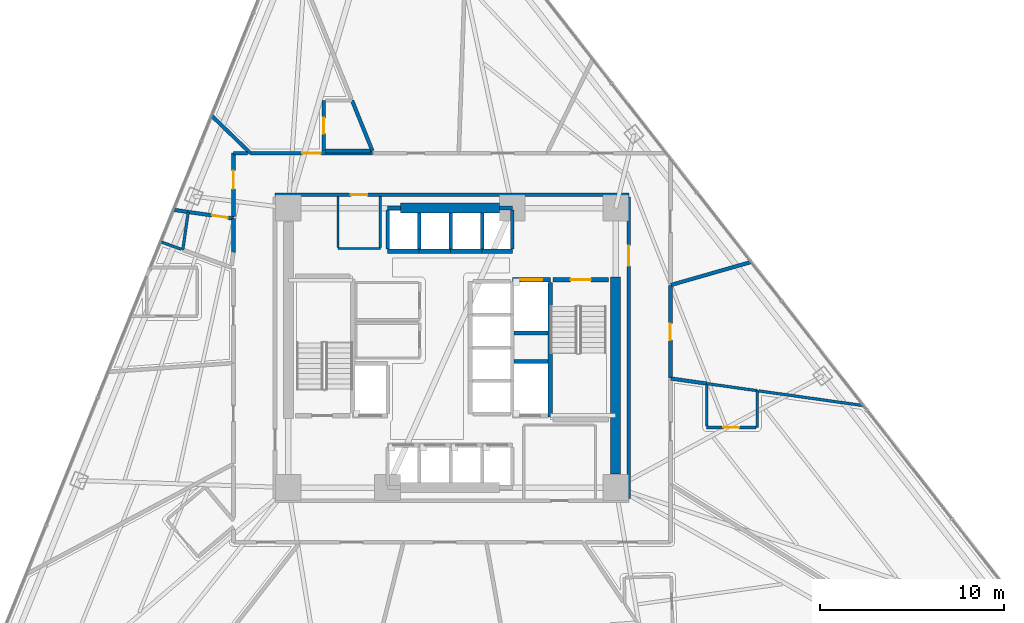
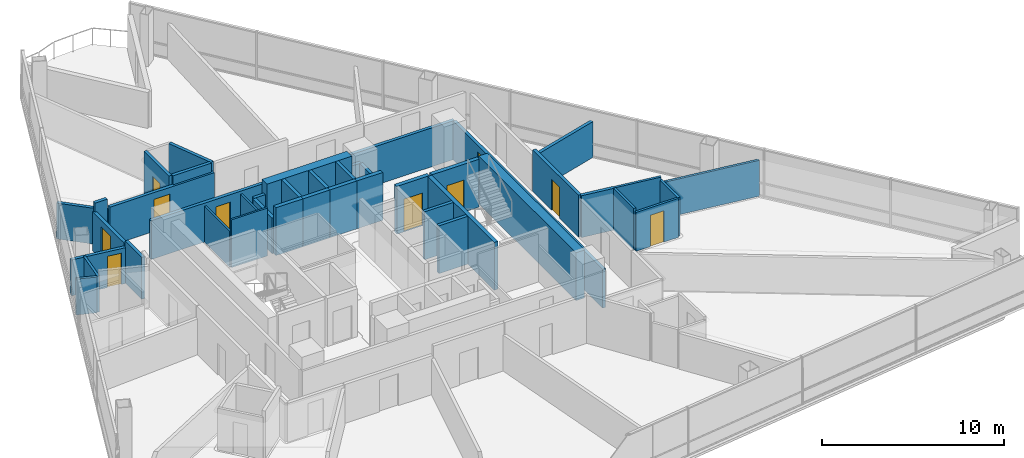
# One storey, part 9 of 15: 42 walls, 10 doors, 10 openings.
"""IFC4 building model written with IfcOpenShell, lengths in metres."""

from ifc_helpers import new_model, si_unit, direction, frame, frame_2d, origin, place, context, subcontext, project, spatial, rectangle, extrude, material, layer, layer_set, type_object, element, fill, save


model = new_model("IFC4")

# Units and contexts
model_context = context("Model", 3, precision=1e-05, world=origin(), true_north=direction((0.0, 1.0)))
body_context = subcontext(model_context, "Body", "Model", "MODEL_VIEW")
ifc_project = project(units=[si_unit("LENGTHUNIT", "METRE"), si_unit("AREAUNIT", "SQUARE_METRE"), si_unit("VOLUMEUNIT", "CUBIC_METRE"), si_unit("PLANEANGLEUNIT", "RADIAN"), si_unit("MASSUNIT", "GRAM", prefix="KILO")], contexts=[model_context])

# Site, building, storey
site_placement = place(None, origin())
site = spatial("IfcSite", under=ifc_project, at=site_placement, CompositionType="ELEMENT")
building_placement = place(site_placement, origin())
building = spatial("IfcBuilding", under=site, at=building_placement, Name="Tharavind Bronze Gate", CompositionType="ELEMENT")
storey_placement = place(building_placement, frame((0.0, 0.0, 77.64990234375)))
storey = spatial("IfcBuildingStorey", under=building, at=storey_placement, Name="L19", CompositionType="ELEMENT", Elevation=77.64990234375)

# Wall, opening, door
ifc_material_1 = material(Name="Aerated Concrete Block", Category="concrete")
ifc_layer_1 = layer(ifc_material_1, 0.199951171875)
ifc_layer_set_1 = layer_set([ifc_layer_1], Name="Aerated Concrete Block")
wall_type_1 = type_object("IfcWallType", Name="FIRE RATED PARTITION 200", PredefinedType="PARTITIONING", material=ifc_layer_set_1)
wall_1_placement = place(storey_placement, frame((9.6201171875, 8.320068359375, 0.0), z_axis=(0.0, 0.0, 1.0), x_axis=(-1.0, 0.0, 0.0)))
wall_1 = element("IfcWall", 1, at=wall_1_placement, inside=storey, type_object=wall_type_1, Name="L19 north core corridor wall", PredefinedType="PARTITIONING", context=body_context, shape_type="SweptSolid", body=[
    extrude(rectangle(XDim=19.240234375, YDim=0.199951171875, at=frame_2d((9.6201171875, 0.0))), origin(), (0.0, 0.0, 1.0), 2.60498046875),
])
opening_1_placement = place(wall_1_placement, frame((14.219970703125, 0.0, 0.0)))
opening_1 = element("IfcOpeningElement", 2, at=opening_1_placement, cuts=wall_1, Name="Opening ID07", PredefinedType="OPENING", context=body_context, shape_type="SweptSolid", body=[
    extrude(rectangle(XDim=0.89990234375, YDim=2.10009765625, at=frame_2d((0.449951171875, 1.050048828125))), frame((0.0, 0.11009765625, 0.0), z_axis=(0.0, -1.0, 0.0), x_axis=(1.0, 0.0, 0.0)), (0.0, 0.0, 1.0), 0.219951171875),
])
ifc_material_2 = material(Name="Galvanised Fire Steel", Category="steel")
door_type_1 = type_object("IfcDoorType", Name="PLANT AND RISER FIRE DOOR 900X2100", OperationType="SINGLE_SWING_LEFT", PredefinedType="DOOR", material=ifc_material_2)
door_1_placement = place(opening_1_placement, origin())
door_1 = element("IfcDoor", 3, at=door_1_placement, inside=storey, type_object=door_type_1, Name="L19 Electrical Switch Cupboard fire door", OperationType="SINGLE_SWING_LEFT", OverallHeight=2.10009765625, OverallWidth=0.89990234375, PredefinedType="DOOR", context=body_context, shape_type="SweptSolid", body=[
    extrude(rectangle(XDim=0.89990234375, YDim=2.10009765625, at=frame_2d((0.449951171875, 1.050048828125))), frame((0.0, 0.02490234375, 0.0), z_axis=(0.0, -1.0, 0.0), x_axis=(1.0, 0.0, 0.0)), (0.0, 0.0, 1.0), 0.050048828125),
])
fill(opening_1, door_1)

wall_2_placement = place(storey_placement, frame((9.6201171875, -8.199951171875, 0.0), z_axis=(0.0, 0.0, 1.0), x_axis=(0.0, 1.0, 0.0)))
wall_2 = element("IfcWall", 4, at=wall_2_placement, inside=storey, type_object=wall_type_1, Name="L19 east core corridor wall", PredefinedType="PARTITIONING", context=body_context, shape_type="SweptSolid", body=[
    extrude(rectangle(XDim=16.39990234375, YDim=0.199951171875, at=frame_2d((8.199951171875, 0.0))), origin(), (0.0, 0.0, 1.0), 2.60498046875),
])
opening_2_placement = place(wall_2_placement, frame((12.64990234375, 0.0, 0.0)))
opening_2 = element("IfcOpeningElement", 5, at=opening_2_placement, cuts=wall_2, Name="Opening ID01", PredefinedType="OPENING", context=body_context, shape_type="SweptSolid", body=[
    extrude(rectangle(XDim=1.10009765625, YDim=2.14990234375, at=frame_2d((0.550048828125, 1.074951171875))), frame((0.0, 0.11009765625, 0.0), z_axis=(0.0, -1.0, 0.0), x_axis=(1.0, 0.0, 0.0)), (0.0, 0.0, 1.0), 0.219951171875),
])
ifc_material_3 = material(Name="Fire-Rated Steel", Category="steel")
door_type_2 = type_object("IfcDoorType", Name="STAIR CORE FIRE DOOR 1100X2150", OperationType="SINGLE_SWING_LEFT", PredefinedType="DOOR", material=ifc_material_3)
door_2_placement = place(opening_2_placement, frame((1.10009765625, 0.0, 0.0), z_axis=(0.0, 0.0, 1.0), x_axis=(-1.0, 0.0, 0.0)))
door_2 = element("IfcDoor", 6, at=door_2_placement, inside=storey, type_object=door_type_2, Name="L19 north east stair lobby fire door", OperationType="SINGLE_SWING_LEFT", OverallHeight=2.14990234375, OverallWidth=1.10009765625, PredefinedType="DOOR", context=body_context, shape_type="SweptSolid", body=[
    extrude(rectangle(XDim=1.10009765625, YDim=2.14990234375, at=frame_2d((0.550048828125, 1.074951171875))), frame((0.0, 0.02490234375, 0.0), z_axis=(0.0, -1.0, 0.0), x_axis=(1.0, 0.0, 0.0)), (0.0, 0.0, 1.0), 0.050048828125),
])
fill(opening_2, door_2)

wall_3_placement = place(storey_placement, frame((-6.97314453125, 10.699951171875, 0.0), z_axis=(0.0, 0.0, 1.0), x_axis=(0.0, 1.0, 0.0)))
wall_3 = element("IfcWall", 7, at=wall_3_placement, inside=storey, type_object=wall_type_1, Name="L19 En-Suite Bathroom partition", PredefinedType="PARTITIONING", context=body_context, shape_type="SweptSolid", body=[
    extrude(rectangle(XDim=2.75, YDim=0.199951171875, at=frame_2d((1.375, 0.0))), origin(), (0.0, 0.0, 1.0), 3.210205078125),
])
opening_3_placement = place(wall_3_placement, frame((0.949951171875, 0.0, 0.0)))
opening_3 = element("IfcOpeningElement", 8, at=opening_3_placement, cuts=wall_3, Name="Opening ID06", PredefinedType="OPENING", context=body_context, shape_type="SweptSolid", body=[
    extrude(rectangle(XDim=0.85009765625, YDim=2.10009765625, at=frame_2d((0.425048828125, 1.050048828125))), frame((0.0, 0.11009765625, 0.0), z_axis=(0.0, -1.0, 0.0), x_axis=(1.0, 0.0, 0.0)), (0.0, 0.0, 1.0), 0.219951171875),
])
ifc_material_4 = material(Name="Moisture-Resistant Timber", Category="wood")
door_type_3 = type_object("IfcDoorType", Name="BATHROOM PRIVACY DOOR 850X2100", OperationType="SINGLE_SWING_RIGHT", PredefinedType="DOOR", material=ifc_material_4)
door_3_placement = place(opening_3_placement, origin())
door_3 = element("IfcDoor", 9, at=door_3_placement, inside=storey, type_object=door_type_3, Name="L19 En-Suite Bathroom door", OperationType="SINGLE_SWING_RIGHT", OverallHeight=2.10009765625, OverallWidth=0.85009765625, PredefinedType="DOOR", context=body_context, shape_type="SweptSolid", body=[
    extrude(rectangle(XDim=0.85009765625, YDim=2.10009765625, at=frame_2d((0.425048828125, 1.050048828125))), frame((0.0, 0.02490234375, 0.0), z_axis=(0.0, -1.0, 0.0), x_axis=(1.0, 0.0, 0.0)), (0.0, 0.0, 1.0), 0.050048828125),
])
fill(opening_3, door_3)

# Walls
wall_4_placement = place(storey_placement, frame((-5.43408203125, 13.449951171875, 0.0), z_axis=(0.0, 0.0, 1.0), x_axis=(0.374610031927, -0.927182465311, 0.0)))
element("IfcWall", 10, at=wall_4_placement, inside=storey, type_object=wall_type_1, Name="L19 En-Suite Bathroom partition", PredefinedType="PARTITIONING", context=body_context, shape_type="SweptSolid", body=[
    extrude(rectangle(XDim=2.966064453125, YDim=0.199951171875, at=frame_2d((1.48291015625, 0.0))), origin(), (0.0, 0.0, 1.0), 3.210205078125),
])
wall_5_placement = place(storey_placement, frame((-4.436279296875, 10.699951171875, 0.0), z_axis=(0.0, 0.0, 1.0), x_axis=(-1.0, 0.0, 0.0)))
element("IfcWall", 11, at=wall_5_placement, inside=storey, type_object=wall_type_1, Name="L19 En-Suite Bathroom partition", PredefinedType="PARTITIONING", context=body_context, shape_type="SweptSolid", body=[
    extrude(rectangle(XDim=2.431884765625, YDim=0.199951171875, at=frame_2d((1.2158203125, 0.0))), origin(), (0.0, 0.0, 1.0), 3.210205078125),
])

# Wall, opening, door
wall_6_placement = place(storey_placement, frame((-15.144287109375, 7.502197265625, 0.0), z_axis=(0.0, 0.0, 1.0), x_axis=(0.989616702709, -0.143731630892, 0.0)))
wall_6 = element("IfcWall", 12, at=wall_6_placement, inside=storey, type_object=wall_type_1, Name="L19 En-Suite Bathroom partition", PredefinedType="PARTITIONING", context=body_context, shape_type="SweptSolid", body=[
    extrude(rectangle(XDim=3.298583984375, YDim=0.199951171875, at=frame_2d((1.6494140625, 0.0))), origin(), (0.0, 0.0, 1.0), 2.405029296875),
])
opening_4_placement = place(wall_6_placement, frame((2.1240234375, 0.0, 0.0)))
opening_4 = element("IfcOpeningElement", 13, at=opening_4_placement, cuts=wall_6, Name="Opening ID06", PredefinedType="OPENING", context=body_context, shape_type="SweptSolid", body=[
    extrude(rectangle(XDim=0.85009765625, YDim=2.10009765625, at=frame_2d((0.425048828125, 1.050048828125))), frame((0.0, 0.11009765625, 0.0), z_axis=(0.0, -1.0, 0.0), x_axis=(1.0, 0.0, 0.0)), (0.0, 0.0, 1.0), 0.219951171875),
])
door_4_placement = place(opening_4_placement, origin())
door_4 = element("IfcDoor", 14, at=door_4_placement, inside=storey, type_object=door_type_3, Name="L19 En-Suite Bathroom door", OperationType="SINGLE_SWING_RIGHT", OverallHeight=2.10009765625, OverallWidth=0.85009765625, PredefinedType="DOOR", context=body_context, shape_type="SweptSolid", body=[
    extrude(rectangle(XDim=0.85009765625, YDim=2.10009765625, at=frame_2d((0.425048828125, 1.050048828125))), frame((0.0, 0.02490234375, 0.0), z_axis=(0.0, -1.0, 0.0), x_axis=(1.0, 0.0, 0.0)), (0.0, 0.0, 1.0), 0.050048828125),
])
fill(opening_4, door_4)

# Walls
wall_7_placement = place(storey_placement, frame((-11.8798828125, 7.028076171875, 0.0), z_axis=(0.0, 0.0, 1.0), x_axis=(0.0, -1.0, 0.0)))
element("IfcWall", 15, at=wall_7_placement, inside=storey, type_object=wall_type_1, Name="L19 En-Suite Bathroom partition", PredefinedType="PARTITIONING", context=body_context, shape_type="SweptSolid", body=[
    extrude(rectangle(XDim=1.834228515625, YDim=0.199951171875, at=frame_2d((0.9169921875, 0.0))), origin(), (0.0, 0.0, 1.0), 2.80517578125),
])
wall_8_placement = place(storey_placement, frame((16.271728515625, 4.665771484375, 0.0), z_axis=(0.0, 0.0, 1.0), x_axis=(-0.961271666147, -0.275602583194, 0.0)))
element("IfcWall", 16, at=wall_8_placement, inside=storey, type_object=wall_type_1, Name="L19 Hotel Club Lounge partition", PredefinedType="PARTITIONING", context=body_context, shape_type="SweptSolid", body=[
    extrude(rectangle(XDim=4.535400390625, YDim=0.199951171875, at=frame_2d((2.267578125, 0.0))), origin(), (0.0, 0.0, 1.0), 2.405029296875),
])

# Wall, opening, door
wall_9_placement = place(storey_placement, frame((-4.311767578125, 10.580078125, 0.0), z_axis=(0.0, 0.0, 1.0), x_axis=(-1.0, 0.0, 0.0)))
wall_9 = element("IfcWall", 17, at=wall_9_placement, inside=storey, type_object=wall_type_1, Name="L19 Hotel Guest Room partition", PredefinedType="PARTITIONING", context=body_context, shape_type="SweptSolid", body=[
    extrude(rectangle(XDim=6.634033203125, YDim=0.199951171875, at=frame_2d((3.31689453125, 0.0))), origin(), (0.0, 0.0, 1.0), 2.60498046875),
])
opening_5_placement = place(wall_9_placement, frame((2.81689453125, 0.0, 0.0)))
opening_5 = element("IfcOpeningElement", 18, at=opening_5_placement, cuts=wall_9, Name="Opening ID03", PredefinedType="OPENING", context=body_context, shape_type="SweptSolid", body=[
    extrude(rectangle(XDim=1.0, YDim=2.14990234375, at=frame_2d((0.5, 1.074951171875))), frame((0.0, 0.11009765625, 0.0), z_axis=(0.0, -1.0, 0.0), x_axis=(1.0, 0.0, 0.0)), (0.0, 0.0, 1.0), 0.219951171875),
])
ifc_material_5 = material(Name="Solid Timber Veneer", Category="wood")
door_type_4 = type_object("IfcDoorType", Name="HOTEL SUITE ENTRANCE DOOR 1000X2150", OperationType="SINGLE_SWING_LEFT", PredefinedType="DOOR", material=ifc_material_5)
door_5_placement = place(opening_5_placement, origin())
door_5 = element("IfcDoor", 19, at=door_5_placement, inside=storey, type_object=door_type_4, Name="L19 Hotel Guest Room door", OperationType="SINGLE_SWING_LEFT", OverallHeight=2.14990234375, OverallWidth=1.0, PredefinedType="DOOR", context=body_context, shape_type="SweptSolid", body=[
    extrude(rectangle(XDim=1.0, YDim=2.14990234375, at=frame_2d((0.5, 1.074951171875))), frame((0.0, 0.02490234375, 0.0), z_axis=(0.0, -1.0, 0.0), x_axis=(1.0, 0.0, 0.0)), (0.0, 0.0, 1.0), 0.050048828125),
])
fill(opening_5, door_5)

# Walls
wall_10_placement = place(storey_placement, frame((-10.963134765625, 10.5869140625, 0.0), z_axis=(0.0, 0.0, 1.0), x_axis=(-0.719299093908, 0.69470052073, 0.0)))
element("IfcWall", 20, at=wall_10_placement, inside=storey, type_object=wall_type_1, Name="L19 Hotel Guest Room partition", PredefinedType="PARTITIONING", context=body_context, shape_type="SweptSolid", body=[
    extrude(rectangle(XDim=2.91796875, YDim=0.199951171875, at=frame_2d((1.458984375, 0.0))), origin(), (0.0, 0.0, 1.0), 2.405029296875),
])
wall_11_placement = place(storey_placement, frame((-11.107177734375, 10.580078125, 0.0), z_axis=(0.0, 0.0, 1.0), x_axis=(-1.0, 0.0, 0.0)))
element("IfcWall", 21, at=wall_11_placement, inside=storey, type_object=wall_type_1, Name="L19 Hotel Deluxe Room partition", PredefinedType="PARTITIONING", context=body_context, shape_type="SweptSolid", body=[
    extrude(rectangle(XDim=0.772216796875, YDim=0.199951171875, at=frame_2d((0.38623046875, 0.0))), origin(), (0.0, 0.0, 1.0), 3.210205078125),
])

# Wall, opening, door
wall_12_placement = place(storey_placement, frame((-11.8798828125, 10.579345703125, 0.0), z_axis=(0.0, 0.0, 1.0), x_axis=(0.0, -1.0, 0.0)))
wall_12 = element("IfcWall", 22, at=wall_12_placement, inside=storey, type_object=wall_type_1, Name="L19 Hotel Deluxe Room partition", PredefinedType="PARTITIONING", context=body_context, shape_type="SweptSolid", body=[
    extrude(rectangle(XDim=3.4453125, YDim=0.199951171875, at=frame_2d((1.72265625, 0.0))), origin(), (0.0, 0.0, 1.0), 2.60498046875),
])
opening_6_placement = place(wall_12_placement, frame((0.943115234375, 0.0, 0.0)))
opening_6 = element("IfcOpeningElement", 23, at=opening_6_placement, cuts=wall_12, Name="Opening ID03", PredefinedType="OPENING", context=body_context, shape_type="SweptSolid", body=[
    extrude(rectangle(XDim=1.0, YDim=2.14990234375, at=frame_2d((0.5, 1.074951171875))), frame((0.0, 0.11009765625, 0.0), z_axis=(0.0, -1.0, 0.0), x_axis=(1.0, 0.0, 0.0)), (0.0, 0.0, 1.0), 0.219951171875),
])
door_6_placement = place(opening_6_placement, origin())
door_6 = element("IfcDoor", 24, at=door_6_placement, inside=storey, type_object=door_type_4, Name="L19 Hotel Deluxe Room door", OperationType="SINGLE_SWING_LEFT", OverallHeight=2.14990234375, OverallWidth=1.0, PredefinedType="DOOR", context=body_context, shape_type="SweptSolid", body=[
    extrude(rectangle(XDim=1.0, YDim=2.14990234375, at=frame_2d((0.5, 1.074951171875))), frame((0.0, 0.02490234375, 0.0), z_axis=(0.0, -1.0, 0.0), x_axis=(1.0, 0.0, 0.0)), (0.0, 0.0, 1.0), 0.050048828125),
])
fill(opening_6, door_6)

# Wall
wall_13_placement = place(storey_placement, frame((11.908447265625, -1.673583984375, 0.0), z_axis=(0.0, 0.0, 1.0), x_axis=(0.990263284835, -0.13920713598, 0.0)))
element("IfcWall", 25, at=wall_13_placement, inside=storey, type_object=wall_type_1, Name="L19 Deluxe Hotel Suite partition", PredefinedType="PARTITIONING", context=body_context, shape_type="SweptSolid", body=[
    extrude(rectangle(XDim=1.960693359375, YDim=0.199951171875, at=frame_2d((0.98046875, 0.0))), origin(), (0.0, 0.0, 1.0), 2.80517578125),
])

# Wall, opening, door
wall_14_placement = place(storey_placement, frame((11.8798828125, -1.64794921875, 0.0), z_axis=(0.0, 0.0, 1.0), x_axis=(0.0, 1.0, 0.0)))
wall_14 = element("IfcWall", 26, at=wall_14_placement, inside=storey, type_object=wall_type_1, Name="L19 Tea Pantry partition", PredefinedType="PARTITIONING", context=body_context, shape_type="SweptSolid", body=[
    extrude(rectangle(XDim=5.03564453125, YDim=0.199951171875, at=frame_2d((2.517822265625, 0.0))), origin(), (0.0, 0.0, 1.0), 2.80517578125),
])
opening_7_placement = place(wall_14_placement, frame((2.068115234375, 0.0, 0.0)))
opening_7 = element("IfcOpeningElement", 27, at=opening_7_placement, cuts=wall_14, Name="Opening ID07", PredefinedType="OPENING", context=body_context, shape_type="SweptSolid", body=[
    extrude(rectangle(XDim=0.89990234375, YDim=2.10009765625, at=frame_2d((0.449951171875, 1.050048828125))), frame((0.0, 0.11009765625, 0.0), z_axis=(0.0, -1.0, 0.0), x_axis=(1.0, 0.0, 0.0)), (0.0, 0.0, 1.0), 0.219951171875),
])
door_7_placement = place(opening_7_placement, origin())
door_7 = element("IfcDoor", 28, at=door_7_placement, inside=storey, type_object=door_type_1, Name="L19 Tea Pantry door", OperationType="SINGLE_SWING_LEFT", OverallHeight=2.10009765625, OverallWidth=0.89990234375, PredefinedType="DOOR", context=body_context, shape_type="SweptSolid", body=[
    extrude(rectangle(XDim=0.89990234375, YDim=2.10009765625, at=frame_2d((0.449951171875, 1.050048828125))), frame((0.0, 0.02490234375, 0.0), z_axis=(0.0, -1.0, 0.0), x_axis=(1.0, 0.0, 0.0)), (0.0, 0.0, 1.0), 0.050048828125),
])
fill(opening_7, door_7)

# Walls
ifc_material_6 = material(Name="Metal Stud Gypsum Partition", Category="gypsum")
ifc_layer_2 = layer(ifc_material_6, 0.1201171875)
ifc_layer_set_2 = layer_set([ifc_layer_2], Name="Metal Stud Gypsum Partition")
wall_type_2 = type_object("IfcWallType", Name="INTERIOR PARTITION WALL 120", PredefinedType="PARTITIONING", material=ifc_layer_set_2)
wall_15_placement = place(storey_placement, frame((-6.199951171875, 5.39990234375, 0.0), z_axis=(0.0, 0.0, 1.0), x_axis=(1.0, 0.0, 0.0)))
element("IfcWall", 29, at=wall_15_placement, inside=storey, type_object=wall_type_2, Name="L19 Electrical Switch Cupboard partition 1", PredefinedType="PARTITIONING", context=body_context, shape_type="SweptSolid", body=[
    extrude(rectangle(XDim=2.300048828125, YDim=0.1201171875, at=frame_2d((1.14990234375, 0.0))), origin(), (0.0, 0.0, 1.0), 3.210205078125),
])
for number, where, z_axis, x_axis, name in (
    (30, (-3.89990234375, 5.465087890625, 0.0), (0.0, 0.0, 1.0), (0.0, 1.0, 0.0), "L19 Electrical Switch Cupboard partition 2"),
    (31, (-6.199951171875, 8.215087890625, 0.0), (0.0, 0.0, 1.0), (0.0, -1.0, 0.0), "L19 Electrical Switch Cupboard partition 4"),
):
    element("IfcWall", number, at=place(storey_placement, frame(where, z_axis=z_axis, x_axis=x_axis)), inside=storey, type_object=wall_type_2, Name=name, PredefinedType="PARTITIONING", context=body_context, shape_type="SweptSolid", body=[
        extrude(rectangle(XDim=2.75, YDim=0.1201171875, at=frame_2d((1.375, 0.0))), origin(), (0.0, 0.0, 1.0), 2.405029296875),
    ])
ifc_material_7 = material(Name="Twin Stud Acoustic Gypsum", Category="gypsum")
ifc_layer_3 = layer(ifc_material_7, 0.14990234375)
ifc_layer_set_3 = layer_set([ifc_layer_3], Name="Twin Stud Acoustic Gypsum")
wall_type_3 = type_object("IfcWallType", Name="INTERIOR PARTITION WALL 150", PredefinedType="PARTITIONING", material=ifc_layer_set_3)
wall_16_placement = place(storey_placement, frame((-14.639404296875, 5.328369140625, 0.0), z_axis=(0.0, 0.0, 1.0), x_axis=(0.143755820494, 0.989613189117, 0.0)))
element("IfcWall", 32, at=wall_16_placement, inside=storey, type_object=wall_type_3, Name="L19 En-Suite Bathroom partition", PredefinedType="PARTITIONING", context=body_context, shape_type="SweptSolid", body=[
    extrude(rectangle(XDim=2.07861328125, YDim=0.14990234375, at=frame_2d((1.039306640625, 0.0))), origin(), (0.0, 0.0, 1.0), 2.405029296875),
])
wall_17_placement = place(storey_placement, frame((13.85009765625, -1.946533203125, 0.0), z_axis=(0.0, 0.0, 1.0), x_axis=(0.990268698317, -0.139168621221, 0.0)))
element("IfcWall", 33, at=wall_17_placement, inside=storey, type_object=wall_type_3, Name="L19 En-Suite Bathroom partition", PredefinedType="PARTITIONING", context=body_context, shape_type="SweptSolid", body=[
    extrude(rectangle(XDim=2.777099609375, YDim=0.14990234375, at=frame_2d((1.388671875, 0.0))), origin(), (0.0, 0.0, 1.0), 2.80517578125),
])
wall_18_placement = place(storey_placement, frame((16.60009765625, -2.3330078125, 0.0), z_axis=(0.0, 0.0, 1.0), x_axis=(0.0, -1.0, 0.0)))
element("IfcWall", 34, at=wall_18_placement, inside=storey, type_object=wall_type_3, Name="L19 En-Suite Bathroom partition", PredefinedType="PARTITIONING", context=body_context, shape_type="SweptSolid", body=[
    extrude(rectangle(XDim=2.00341796875, YDim=0.14990234375, at=frame_2d((1.001708984375, 0.0))), origin(), (0.0, 0.0, 1.0), 2.60498046875),
])

# Wall, opening, door
wall_19_placement = place(storey_placement, frame((16.52001953125, -4.33642578125, 0.0), z_axis=(0.0, 0.0, 1.0), x_axis=(-1.0, 0.0, 0.0)))
wall_19 = element("IfcWall", 35, at=wall_19_placement, inside=storey, type_object=wall_type_3, Name="L19 En-Suite Bathroom partition", PredefinedType="PARTITIONING", context=body_context, shape_type="SweptSolid", body=[
    extrude(rectangle(XDim=2.669921875, YDim=0.14990234375, at=frame_2d((1.3349609375, 0.0))), origin(), (0.0, 0.0, 1.0), 2.60498046875),
])
opening_8_placement = place(wall_19_placement, frame((0.909912109375, 0.0, 0.0)))
opening_8 = element("IfcOpeningElement", 36, at=opening_8_placement, cuts=wall_19, Name="Opening ID06", PredefinedType="OPENING", context=body_context, shape_type="SweptSolid", body=[
    extrude(rectangle(XDim=0.85009765625, YDim=2.10009765625, at=frame_2d((0.425048828125, 1.050048828125))), frame((0.0, 0.084951171875, 0.0), z_axis=(0.0, -1.0, 0.0), x_axis=(1.0, 0.0, 0.0)), (0.0, 0.0, 1.0), 0.16990234375),
])
door_8_placement = place(opening_8_placement, origin())
door_8 = element("IfcDoor", 37, at=door_8_placement, inside=storey, type_object=door_type_3, Name="L19 En-Suite Bathroom door", OperationType="SINGLE_SWING_RIGHT", OverallHeight=2.10009765625, OverallWidth=0.85009765625, PredefinedType="DOOR", context=body_context, shape_type="SweptSolid", body=[
    extrude(rectangle(XDim=0.85009765625, YDim=2.10009765625, at=frame_2d((0.425048828125, 1.050048828125))), frame((0.0, 0.02490234375, 0.0), z_axis=(0.0, -1.0, 0.0), x_axis=(1.0, 0.0, 0.0)), (0.0, 0.0, 1.0), 0.050048828125),
])
fill(opening_8, door_8)

# Walls
wall_20_placement = place(storey_placement, frame((13.85009765625, -4.256591796875, 0.0), z_axis=(0.0, 0.0, 1.0), x_axis=(0.0, 1.0, 0.0)))
element("IfcWall", 38, at=wall_20_placement, inside=storey, type_object=wall_type_3, Name="L19 En-Suite Bathroom partition", PredefinedType="PARTITIONING", context=body_context, shape_type="SweptSolid", body=[
    extrude(rectangle(XDim=2.229248046875, YDim=0.14990234375, at=frame_2d((1.11474609375, 0.0))), origin(), (0.0, 0.0, 1.0), 2.80517578125),
])
wall_21_placement = place(storey_placement, frame((-14.716064453125, 5.356201171875, 0.0), z_axis=(0.0, 0.0, 1.0), x_axis=(-0.939690305464, 0.342026504552, 0.0)))
element("IfcWall", 39, at=wall_21_placement, inside=storey, type_object=wall_type_3, Name="L19 Hotel Deluxe Room partition", PredefinedType="PARTITIONING", context=body_context, shape_type="SweptSolid", body=[
    extrude(rectangle(XDim=1.175537109375, YDim=0.14990234375, at=frame_2d((0.587890625, 0.0))), origin(), (0.0, 0.0, 1.0), 2.405029296875),
])
wall_22_placement = place(storey_placement, frame((16.679931640625, -2.34423828125, 0.0), z_axis=(0.0, 0.0, 1.0), x_axis=(0.99026766526, -0.139175971854, 0.0)))
element("IfcWall", 40, at=wall_22_placement, inside=storey, type_object=wall_type_3, Name="L19 Deluxe Hotel Suite partition", PredefinedType="PARTITIONING", context=body_context, shape_type="SweptSolid", body=[
    extrude(rectangle(XDim=5.73974609375, YDim=0.14990234375, at=frame_2d((2.869873046875, 0.0))), origin(), (0.0, 0.0, 1.0), 2.405029296875),
])
ifc_material_8 = material(Name="Concrete C50/60", Category="concrete")
ifc_layer_4 = layer(ifc_material_8, 0.25)
ifc_layer_set_4 = layer_set([ifc_layer_4], Name="Concrete C50/60")
wall_type_4 = type_object("IfcWallType", Name="RC CORE SHEAR WALL 250", PredefinedType="SHEAR", material=ifc_layer_set_4)
wall_23_placement = place(storey_placement, frame((5.35009765625, -3.75, 0.0), z_axis=(0.0, 0.0, 1.0), x_axis=(0.0, 1.0, 0.0)))
element("IfcWall", 41, at=wall_23_placement, inside=storey, type_object=wall_type_4, Name="L19 ST2 shaft west wall", PredefinedType="SHEAR", context=body_context, shape_type="SweptSolid", body=[
    extrude(rectangle(XDim=7.300048828125, YDim=0.25, at=frame_2d((3.64990234375, 0.0))), origin(), (0.0, 0.0, 1.0), 3.210205078125),
])

# Wall, opening, door
wall_24_placement = place(storey_placement, frame((5.5, 3.699951171875, 0.0), z_axis=(0.0, 0.0, 1.0), x_axis=(1.0, 0.0, 0.0)))
wall_24 = element("IfcWall", 42, at=wall_24_placement, inside=storey, type_object=wall_type_4, Name="L19 ST2 shaft north wall", PredefinedType="SHEAR", context=body_context, shape_type="SweptSolid", body=[
    extrude(rectangle(XDim=3.0, YDim=0.25, at=frame_2d((1.5, 0.0))), origin(), (0.0, 0.0, 1.0), 3.210205078125),
])
opening_9_placement = place(wall_24_placement, frame((0.949951171875, 0.0, 0.0)))
opening_9 = element("IfcOpeningElement", 43, at=opening_9_placement, cuts=wall_24, Name="Opening ID01", PredefinedType="OPENING", context=body_context, shape_type="SweptSolid", body=[
    extrude(rectangle(XDim=1.10009765625, YDim=2.14990234375, at=frame_2d((0.550048828125, 1.074951171875))), frame((0.0, 0.135, 0.0), z_axis=(0.0, -1.0, 0.0), x_axis=(1.0, 0.0, 0.0)), (0.0, 0.0, 1.0), 0.27),
])
door_9_placement = place(opening_9_placement, frame((1.10009765625, 0.0, 0.0), z_axis=(0.0, 0.0, 1.0), x_axis=(-1.0, 0.0, 0.0)))
door_9 = element("IfcDoor", 44, at=door_9_placement, inside=storey, type_object=door_type_2, Name="L19 exit stair ST2 fire door", OperationType="SINGLE_SWING_LEFT", OverallHeight=2.14990234375, OverallWidth=1.10009765625, PredefinedType="DOOR", context=body_context, shape_type="SweptSolid", body=[
    extrude(rectangle(XDim=1.10009765625, YDim=2.14990234375, at=frame_2d((0.550048828125, 1.074951171875))), frame((0.0, 0.02490234375, 0.0), z_axis=(0.0, -1.0, 0.0), x_axis=(1.0, 0.0, 0.0)), (0.0, 0.0, 1.0), 0.050048828125),
])
fill(opening_9, door_9)

# Walls
wall_25_placement = place(storey_placement, frame((-3.5, 5.25, 0.0), z_axis=(0.0, 0.0, 1.0), x_axis=(1.0, 0.0, 0.0)))
element("IfcWall", 45, at=wall_25_placement, inside=storey, type_object=wall_type_4, Name="L19 lift PL5 shaft front wall", PredefinedType="SHEAR", context=body_context, shape_type="SweptSolid", body=[
    extrude(rectangle(XDim=1.71240234375, YDim=0.25, at=frame_2d((0.856201171875, 0.0))), origin(), (0.0, 0.0, 1.0), 3.210205078125),
])
wall_26_placement = place(storey_placement, frame((-1.78759765625, 5.25, 0.0), z_axis=(0.0, 0.0, 1.0), x_axis=(1.0, 0.0, 0.0)))
element("IfcWall", 46, at=wall_26_placement, inside=storey, type_object=wall_type_4, Name="L19 lift PL6 shaft front wall", PredefinedType="SHEAR", context=body_context, shape_type="SweptSolid", body=[
    extrude(rectangle(XDim=1.712646484375, YDim=0.25, at=frame_2d((0.8564453125, 0.0))), origin(), (0.0, 0.0, 1.0), 3.210205078125),
])
wall_27_placement = place(storey_placement, frame((-0.074951171875, 5.25, 0.0), z_axis=(0.0, 0.0, 1.0), x_axis=(1.0, 0.0, 0.0)))
element("IfcWall", 47, at=wall_27_placement, inside=storey, type_object=wall_type_4, Name="L19 lift PL7 shaft front wall", PredefinedType="SHEAR", context=body_context, shape_type="SweptSolid", body=[
    extrude(rectangle(XDim=1.71240234375, YDim=0.25, at=frame_2d((0.856201171875, 0.0))), origin(), (0.0, 0.0, 1.0), 3.210205078125),
])
wall_28_placement = place(storey_placement, frame((1.637451171875, 5.25, 0.0), z_axis=(0.0, 0.0, 1.0), x_axis=(1.0, 0.0, 0.0)))
element("IfcWall", 48, at=wall_28_placement, inside=storey, type_object=wall_type_4, Name="L19 lift PL8 shaft front wall", PredefinedType="SHEAR", context=body_context, shape_type="SweptSolid", body=[
    extrude(rectangle(XDim=1.642578125, YDim=0.25, at=frame_2d((0.8212890625, 0.0))), origin(), (0.0, 0.0, 1.0), 3.210205078125),
])

# Wall, opening, door
wall_29_placement = place(storey_placement, frame((3.280029296875, 3.699951171875, 0.0), z_axis=(0.0, 0.0, 1.0), x_axis=(1.0, 0.0, 0.0)))
wall_29 = element("IfcWall", 49, at=wall_29_placement, inside=storey, type_object=wall_type_4, Name="L19 lift FFL2 shaft front wall", PredefinedType="SHEAR", context=body_context, shape_type="SweptSolid", body=[
    extrude(rectangle(XDim=2.070068359375, YDim=0.25, at=frame_2d((1.03515625, 0.0))), origin(), (0.0, 0.0, 1.0), 3.210205078125),
])
opening_10_placement = place(wall_29_placement, frame((0.43505859375, 0.0, 0.0)))
opening_10 = element("IfcOpeningElement", 50, at=opening_10_placement, cuts=wall_29, Name="Opening LD02", PredefinedType="OPENING", context=body_context, shape_type="SweptSolid", body=[
    extrude(rectangle(XDim=1.199951171875, YDim=2.199951171875, at=frame_2d((0.60009765625, 1.10009765625))), frame((0.0, 0.135, 0.0), z_axis=(0.0, -1.0, 0.0), x_axis=(1.0, 0.0, 0.0)), (0.0, 0.0, 1.0), 0.27),
])
ifc_material_9 = material(Name="Brushed Stainless Steel", Category="steel")
door_type_5 = type_object("IfcDoorType", Name="FIREFIGHTING LIFT LANDING DOOR 1200X2200", OperationType="SLIDING_TO_RIGHT", PredefinedType="DOOR", material=ifc_material_9)
door_10_placement = place(opening_10_placement, origin())
door_10 = element("IfcDoor", 51, at=door_10_placement, inside=storey, type_object=door_type_5, Name="L19 lift FFL2 sliding landing door", OperationType="SLIDING_TO_RIGHT", OverallHeight=2.199951171875, OverallWidth=1.199951171875, PredefinedType="DOOR", context=body_context, shape_type="SweptSolid", body=[
    extrude(rectangle(XDim=1.199951171875, YDim=2.199951171875, at=frame_2d((0.60009765625, 1.10009765625))), frame((0.0, 0.02490234375, 0.0), z_axis=(0.0, -1.0, 0.0), x_axis=(1.0, 0.0, 0.0)), (0.0, 0.0, 1.0), 0.050048828125),
])
fill(opening_10, door_10)

# Walls
ifc_material_10 = material(Name="Concrete C60/75", Category="concrete")
ifc_layer_5 = layer(ifc_material_10, 0.550048828125)
ifc_layer_set_5 = layer_set([ifc_layer_5], Name="Concrete C60/75")
wall_type_5 = type_object("IfcWallType", Name="RC CORE SHEAR WALL 550", PredefinedType="SHEAR", material=ifc_layer_set_5)
wall_30_placement = place(storey_placement, frame((-2.800048828125, 7.60009765625, 0.0), z_axis=(0.0, 0.0, 1.0), x_axis=(1.0, 0.0, 0.0)))
element("IfcWall", 52, at=wall_30_placement, inside=storey, type_object=wall_type_5, Name="L19 north core shear wall", PredefinedType="SHEAR", context=body_context, shape_type="SweptSolid", body=[
    extrude(rectangle(XDim=5.380126953125, YDim=0.550048828125, at=frame_2d((2.68994140625, 0.0))), origin(), (0.0, 0.0, 1.0), 3.210205078125),
])
wall_31_placement = place(storey_placement, frame((8.89990234375, -6.85009765625, 0.0), z_axis=(0.0, 0.0, 1.0), x_axis=(0.0, 1.0, 0.0)))
element("IfcWall", 53, at=wall_31_placement, inside=storey, type_object=wall_type_5, Name="L19 east core shear wall", PredefinedType="SHEAR", context=body_context, shape_type="SweptSolid", body=[
    extrude(rectangle(XDim=10.7001953125, YDim=0.550048828125, at=frame_2d((5.35009765625, 0.0))), origin(), (0.0, 0.0, 1.0), 3.210205078125),
])
ifc_material_11 = material(Name="Concrete C40/50", Category="concrete")
ifc_layer_6 = layer(ifc_material_11, 0.199951171875)
ifc_layer_set_6 = layer_set([ifc_layer_6], Name="Concrete C40/50")
wall_type_6 = type_object("IfcWallType", Name="SHAFT ENCLOSURE WALL 200", PredefinedType="PARTITIONING", material=ifc_layer_set_6)
wall_32_placement = place(storey_placement, frame((-3.5, 7.60009765625, 0.0), z_axis=(0.0, 0.0, 1.0), x_axis=(1.0, 0.0, 0.0)))
element("IfcWall", 54, at=wall_32_placement, inside=storey, type_object=wall_type_6, Name="L19 lift PL5 shaft N enclosure wall", PredefinedType="PARTITIONING", context=body_context, shape_type="SweptSolid", body=[
    extrude(rectangle(XDim=0.699951171875, YDim=0.199951171875, at=frame_2d((0.35009765625, 0.0))), origin(), (0.0, 0.0, 1.0), 2.405029296875),
])
wall_33_placement = place(storey_placement, frame((-3.5, 5.3798828125, 0.0), z_axis=(0.0, 0.0, 1.0), x_axis=(0.0, 1.0, 0.0)))
element("IfcWall", 55, at=wall_33_placement, inside=storey, type_object=wall_type_6, Name="L19 lift PL5 shaft W enclosure wall", PredefinedType="PARTITIONING", context=body_context, shape_type="SweptSolid", body=[
    extrude(rectangle(XDim=2.115234375, YDim=0.199951171875, at=frame_2d((1.0576171875, 0.0))), origin(), (0.0, 0.0, 1.0), 2.405029296875),
])
for number, where, z_axis, x_axis, name in (
    (56, (-1.78759765625, 5.3798828125, 0.0), (0.0, 0.0, 1.0), (0.0, 1.0, 0.0), "L19 lift PL5 shaft E enclosure wall"),
    (57, (-0.074951171875, 5.3798828125, 0.0), (0.0, 0.0, 1.0), (0.0, 1.0, 0.0), "L19 lift PL6 shaft E enclosure wall"),
    (58, (1.637451171875, 5.3798828125, 0.0), (0.0, 0.0, 1.0), (0.0, 1.0, 0.0), "L19 lift PL7 shaft E enclosure wall"),
):
    element("IfcWall", number, at=place(storey_placement, frame(where, z_axis=z_axis, x_axis=x_axis)), inside=storey, type_object=wall_type_6, Name=name, PredefinedType="PARTITIONING", context=body_context, shape_type="SweptSolid", body=[
        extrude(rectangle(XDim=1.940185546875, YDim=0.199951171875, at=frame_2d((0.97021484375, 0.0))), origin(), (0.0, 0.0, 1.0), 3.210205078125),
    ])
wall_34_placement = place(storey_placement, frame((2.580078125, 7.60009765625, 0.0), z_axis=(0.0, 0.0, 1.0), x_axis=(1.0, 0.0, 0.0)))
element("IfcWall", 59, at=wall_34_placement, inside=storey, type_object=wall_type_6, Name="L19 lift PL8 shaft N enclosure wall", PredefinedType="PARTITIONING", context=body_context, shape_type="SweptSolid", body=[
    extrude(rectangle(XDim=0.699951171875, YDim=0.199951171875, at=frame_2d((0.35009765625, 0.0))), origin(), (0.0, 0.0, 1.0), 2.405029296875),
])
wall_35_placement = place(storey_placement, frame((3.280029296875, 5.3798828125, 0.0), z_axis=(0.0, 0.0, 1.0), x_axis=(0.0, 1.0, 0.0)))
element("IfcWall", 60, at=wall_35_placement, inside=storey, type_object=wall_type_6, Name="L19 lift PL8 shaft E enclosure wall", PredefinedType="PARTITIONING", context=body_context, shape_type="SweptSolid", body=[
    extrude(rectangle(XDim=2.115234375, YDim=0.199951171875, at=frame_2d((1.0576171875, 0.0))), origin(), (0.0, 0.0, 1.0), 2.405029296875),
])
for number, where, z_axis, x_axis, name in (
    (61, (3.385009765625, 0.800048828125, 0.0), (0.0, 0.0, 1.0), (1.0, 0.0, 0.0), "L19 lift FFL2 shaft S enclosure wall"),
    (62, (3.385009765625, -0.75, 0.0), (0.0, 0.0, 1.0), (1.0, 0.0, 0.0), "L19 lift SVL1 shaft N enclosure wall"),
):
    element("IfcWall", number, at=place(storey_placement, frame(where, z_axis=z_axis, x_axis=x_axis)), inside=storey, type_object=wall_type_6, Name=name, PredefinedType="PARTITIONING", context=body_context, shape_type="SweptSolid", body=[
        extrude(rectangle(XDim=1.8349609375, YDim=0.199951171875, at=frame_2d((0.91748046875, 0.0))), origin(), (0.0, 0.0, 1.0), 3.210205078125),
    ])

save(model, "model.ifc")
